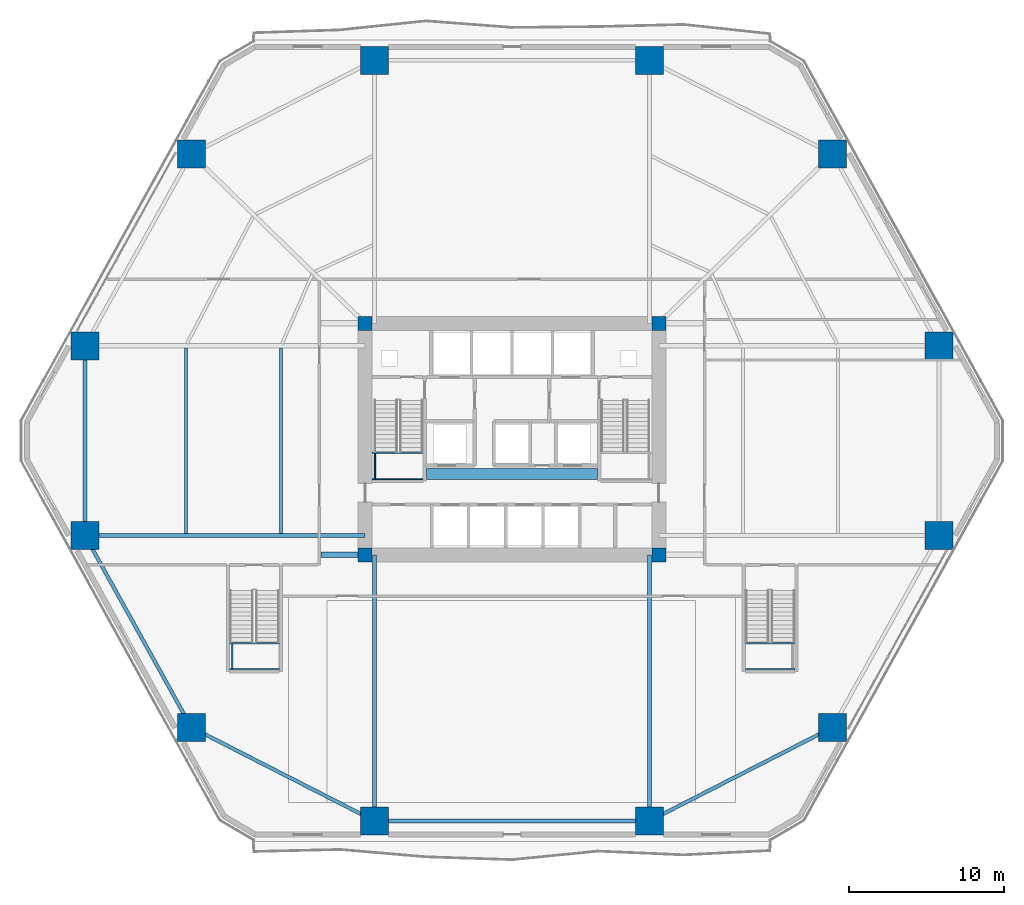
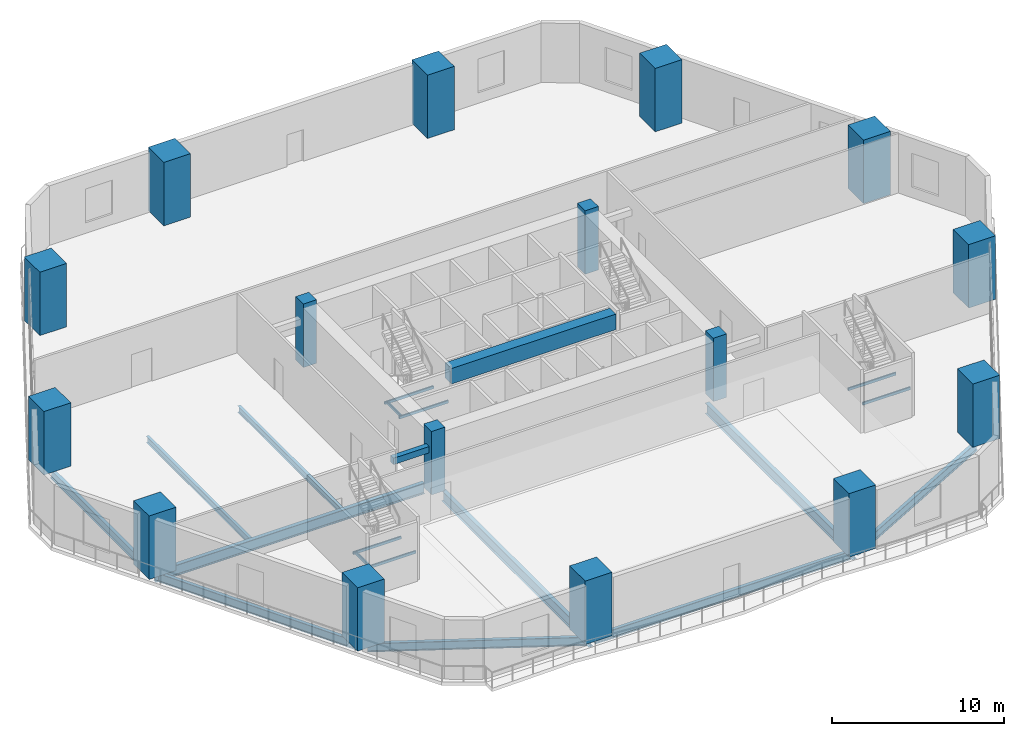
# One storey, part 1 of 18: 20 beams, 16 columns.
"""IFC4 building model written with IfcOpenShell, lengths in metres."""

from ifc_helpers import new_model, si_unit, direction, frame, origin, origin_2d, place, context, subcontext, project, spatial, rectangle, hollow_rectangle, i_section, extrude, material, material_profile, profile_set, type_object, element, save


model = new_model("IFC4")

# Units and contexts
model_context = context("Model", 3, precision=1e-05, world=origin(), true_north=direction((0.0, 1.0)))
body_context = subcontext(model_context, "Body", "Model", "MODEL_VIEW")
ifc_project = project(units=[si_unit("LENGTHUNIT", "METRE"), si_unit("AREAUNIT", "SQUARE_METRE"), si_unit("VOLUMEUNIT", "CUBIC_METRE"), si_unit("PLANEANGLEUNIT", "RADIAN"), si_unit("MASSUNIT", "GRAM", prefix="KILO")], contexts=[model_context])

# Site, building, storey
site_placement = place(None, origin())
site = spatial("IfcSite", under=ifc_project, at=site_placement, CompositionType="ELEMENT")
building_placement = place(site_placement, origin())
building = spatial("IfcBuilding", under=site, at=building_placement, Name="Cinnabar Lancet Tower", CompositionType="ELEMENT")
storey_placement = place(building_placement, frame((0.0, 0.0, 15.0)))
storey = spatial("IfcBuildingStorey", under=building, at=storey_placement, Name="L03", CompositionType="ELEMENT", Elevation=15.0)

# Columns
ifc_material_1 = material(Name="Concrete C80/95", Category="concrete")
ifc_material_profile_1 = material_profile(ifc_material_1, rectangle(XDim=0.89990234375, YDim=0.89990234375, at=origin_2d()), Name="RC-COL 900x900")
ifc_profile_set_1 = profile_set([ifc_material_profile_1], Name="Concrete C80/95")
column_type_1 = type_object("IfcColumnType", Name="STR-COL-CORE-900", PredefinedType="COLUMN", material=ifc_profile_set_1)
for number, where, z_axis, x_axis, name in (
    (1, (22.949951171875, 18.449951171875, 0.0), (0.0, 0.0, 1.0), (1.0, 0.0, 0.0), "L03 Core Corner Column SW"),
    (2, (41.85009765625, 18.449951171875, 0.0), (0.0, 0.0, 1.0), (1.0, 0.0, 0.0), "L03 Core Corner Column SE"),
    (3, (41.85009765625, 33.35009765625, 0.0), (0.0, 0.0, 1.0), (1.0, 0.0, 0.0), "L03 Core Corner Column NE"),
    (4, (22.949951171875, 33.35009765625, 0.0), (0.0, 0.0, 1.0), (1.0, 0.0, 0.0), "L03 Core Corner Column NW"),
):
    element("IfcColumn", number, at=place(storey_placement, frame(where, z_axis=z_axis, x_axis=x_axis)), inside=storey, type_object=column_type_1, Name=name, PredefinedType="COLUMN", context=body_context, shape_type="SweptSolid", body=[
        extrude(rectangle(XDim=0.89990234375, YDim=0.89990234375, at=origin_2d()), origin(), (0.0, 0.0, 1.0), 4.5),
    ])
ifc_material_2 = material(Name="Concrete C80/95", Category="concrete")
ifc_material_profile_2 = material_profile(ifc_material_2, rectangle(XDim=1.800048828125, YDim=1.800048828125, at=origin_2d()), Name="RC-MEGA 1800x1800")
ifc_profile_set_2 = profile_set([ifc_material_profile_2], Name="Concrete C80/95")
column_type_2 = type_object("IfcColumnType", Name="STR-COL-MEGA-1800", PredefinedType="COLUMN", material=ifc_profile_set_2)
for number, where, z_axis, x_axis, name in (
    (5, (23.554931640625, 1.31689453125, 0.0), (0.0, 0.0, 1.0), (1.0, 0.0, 0.0), "L03 Y-Pilotis Mega-Column 1"),
    (6, (41.2451171875, 1.31689453125, 0.0), (0.0, 0.0, 1.0), (1.0, 0.0, 0.0), "L03 Y-Pilotis Mega-Column 2"),
    (7, (53.04296875, 7.343994140625, 0.0), (0.0, 0.0, 1.0), (1.0, 0.0, 0.0), "L03 Y-Pilotis Mega-Column 3"),
    (8, (59.89111328125, 19.69189453125, 0.0), (0.0, 0.0, 1.0), (1.0, 0.0, 0.0), "L03 Y-Pilotis Mega-Column 4"),
    (9, (59.89111328125, 31.907958984375, 0.0), (0.0, 0.0, 1.0), (1.0, 0.0, 0.0), "L03 Y-Pilotis Mega-Column 5"),
    (10, (53.04296875, 44.256103515625, 0.0), (0.0, 0.0, 1.0), (1.0, 0.0, 0.0), "L03 Y-Pilotis Mega-Column 6"),
    (11, (41.2451171875, 50.282958984375, 0.0), (0.0, 0.0, 1.0), (1.0, 0.0, 0.0), "L03 Y-Pilotis Mega-Column 7"),
    (12, (23.554931640625, 50.282958984375, 0.0), (0.0, 0.0, 1.0), (1.0, 0.0, 0.0), "L03 Y-Pilotis Mega-Column 8"),
    (13, (11.757080078125, 44.256103515625, 0.0), (0.0, 0.0, 1.0), (1.0, 0.0, 0.0), "L03 Y-Pilotis Mega-Column 9"),
    (14, (4.908935546875, 31.907958984375, 0.0), (0.0, 0.0, 1.0), (1.0, 0.0, 0.0), "L03 Y-Pilotis Mega-Column 10"),
    (15, (4.908935546875, 19.69189453125, 0.0), (0.0, 0.0, 1.0), (1.0, 0.0, 0.0), "L03 Y-Pilotis Mega-Column 11"),
    (16, (11.757080078125, 7.343994140625, 0.0), (0.0, 0.0, 1.0), (1.0, 0.0, 0.0), "L03 Y-Pilotis Mega-Column 12"),
):
    element("IfcColumn", number, at=place(storey_placement, frame(where, z_axis=z_axis, x_axis=x_axis)), inside=storey, type_object=column_type_2, Name=name, PredefinedType="COLUMN", context=body_context, shape_type="SweptSolid", body=[
        extrude(rectangle(XDim=1.800048828125, YDim=1.800048828125, at=origin_2d()), origin(), (0.0, 0.0, 1.0), 4.5),
    ])

# Beams
ifc_material_3 = material(Name="Concrete C70/85", Category="concrete")
ifc_material_profile_3 = material_profile(ifc_material_3, rectangle(XDim=0.699951171875, YDim=1.10009765625, at=origin_2d()), Name="RC-CB 700x1100")
ifc_profile_set_3 = profile_set([ifc_material_profile_3], Name="Concrete C70/85")
beam_type_1 = type_object("IfcBeamType", Name="STR-BM-CB-1100", PredefinedType="BEAM", material=ifc_profile_set_3)
beam_1_placement = place(storey_placement, frame((26.8798828125, 23.64990234375, 3.669921875), z_axis=(1.0, 0.0, 0.0), x_axis=(0.0, 1.0, 0.0)))
element("IfcBeam", 17, at=beam_1_placement, inside=storey, type_object=beam_type_1, Name="L03 Core Coupling Beam", PredefinedType="BEAM", context=body_context, shape_type="SweptSolid", body=[
    extrude(rectangle(XDim=0.699951171875, YDim=1.10009765625, at=origin_2d()), origin(), (0.0, 0.0, 1.0), 11.0400390625),
])
ifc_material_4 = material(Name="Structural steel S355", Category="steel")
ifc_material_profile_4 = material_profile(ifc_material_4, i_section(OverallWidth=0.1904296875, OverallDepth=0.45703125, WebThickness=0.009033203125, FlangeThickness=0.014404296875, FilletRadius=0.01025390625, at=origin_2d()), Name="UKB 457x191x74")
ifc_profile_set_4 = profile_set([ifc_material_profile_4], Name="Structural steel S355")
beam_type_2 = type_object("IfcBeamType", Name="STR-BM-JST-457", PredefinedType="JOIST", material=ifc_profile_set_4)
for number, where, z_axis, x_axis, name in (
    (18, (11.404052734375, 31.77490234375, -0.47900390625), (0.0, -1.0, 0.0), (1.0, 0.0, 0.0), "L03 Secondary Floor Joist 11"),
    (19, (17.5380859375, 31.77490234375, -0.47900390625), (0.0, -1.0, 0.0), (1.0, 0.0, 0.0), "L03 Secondary Floor Joist 12"),
):
    element("IfcBeam", number, at=place(storey_placement, frame(where, z_axis=z_axis, x_axis=x_axis)), inside=storey, type_object=beam_type_2, Name=name, PredefinedType="JOIST", context=body_context, shape_type="SweptSolid", body=[
        extrude(i_section(OverallWidth=0.1904296875, OverallDepth=0.45703125, WebThickness=0.009033203125, FlangeThickness=0.014404296875, FilletRadius=0.01025390625, at=origin_2d()), origin(), (0.0, 0.0, 1.0), 11.949951171875),
    ])
ifc_material_5 = material(Name="Structural steel S355", Category="steel")
ifc_material_profile_5 = material_profile(ifc_material_5, hollow_rectangle(XDim=0.10009765625, YDim=0.199951171875, WallThickness=0.008056640625, InnerFilletRadius=0.00390625, OuterFilletRadius=0.011962890625, at=origin_2d()), Name="RHS 200x100x8")
ifc_profile_set_5 = profile_set([ifc_material_profile_5], Name="Structural steel S355")
beam_type_3 = type_object("IfcBeamType", Name="STR-BM-LND-203", PredefinedType="BEAM", material=ifc_profile_set_5)
for number, where, z_axis, x_axis, name in (
    (20, (23.39990234375, 23.330078125, 1.949951171875), (1.0, 0.0, 0.0), (0.0, 1.0, 0.0), "L03 ST-1-L03 Landing Support Beam S"),
    (21, (23.39990234375, 25.02001953125, 1.949951171875), (1.0, 0.0, 0.0), (0.0, 1.0, 0.0), "L03 ST-1-L03 Landing Support Beam N"),
):
    element("IfcBeam", number, at=place(storey_placement, frame(where, z_axis=z_axis, x_axis=x_axis)), inside=storey, type_object=beam_type_3, Name=name, PredefinedType="BEAM", context=body_context, shape_type="SweptSolid", body=[
        extrude(hollow_rectangle(XDim=0.10009765625, YDim=0.199951171875, WallThickness=0.008056640625, InnerFilletRadius=0.00390625, OuterFilletRadius=0.011962890625, at=origin_2d()), origin(), (0.0, 0.0, 1.0), 3.280029296875),
    ])
beam_2_placement = place(storey_placement, frame((23.580078125, 23.3798828125, 1.949951171875), z_axis=(0.0, 1.0, 0.0), x_axis=(-1.0, 0.0, 0.0)))
element("IfcBeam", 22, at=beam_2_placement, inside=storey, type_object=beam_type_3, Name="L03 ST-1-L03 Landing Side Trimmer Beam", PredefinedType="BEAM", context=body_context, shape_type="SweptSolid", body=[
    extrude(hollow_rectangle(XDim=0.10009765625, YDim=0.199951171875, WallThickness=0.008056640625, InnerFilletRadius=0.00390625, OuterFilletRadius=0.011962890625, at=origin_2d()), origin(), (0.0, 0.0, 1.0), 1.590087890625),
])
for number, where, z_axis, x_axis, name in (
    (23, (14.219970703125, 11.080078125, 1.949951171875), (1.0, 0.0, 0.0), (0.0, 1.0, 0.0), "L03 ST-3-L03 Landing Support Beam S"),
    (24, (14.219970703125, 12.77001953125, 1.949951171875), (1.0, 0.0, 0.0), (0.0, 1.0, 0.0), "L03 ST-3-L03 Landing Support Beam N"),
):
    element("IfcBeam", number, at=place(storey_placement, frame(where, z_axis=z_axis, x_axis=x_axis)), inside=storey, type_object=beam_type_3, Name=name, PredefinedType="BEAM", context=body_context, shape_type="SweptSolid", body=[
        extrude(hollow_rectangle(XDim=0.10009765625, YDim=0.199951171875, WallThickness=0.008056640625, InnerFilletRadius=0.00390625, OuterFilletRadius=0.011962890625, at=origin_2d()), origin(), (0.0, 0.0, 1.0), 3.199951171875),
    ])
beam_3_placement = place(storey_placement, frame((14.3798828125, 11.1298828125, 1.949951171875), z_axis=(0.0, 1.0, 0.0), x_axis=(-1.0, 0.0, 0.0)))
element("IfcBeam", 25, at=beam_3_placement, inside=storey, type_object=beam_type_3, Name="L03 ST-3-L03 Landing Side Trimmer Beam", PredefinedType="BEAM", context=body_context, shape_type="SweptSolid", body=[
    extrude(hollow_rectangle(XDim=0.10009765625, YDim=0.199951171875, WallThickness=0.008056640625, InnerFilletRadius=0.00390625, OuterFilletRadius=0.011962890625, at=origin_2d()), origin(), (0.0, 0.0, 1.0), 1.590087890625),
])
for number, where, z_axis, x_axis, name in (
    (26, (47.419921875, 11.080078125, 1.949951171875), (1.0, 0.0, 0.0), (0.0, 1.0, 0.0), "L03 ST-4-L03 Landing Support Beam S"),
    (27, (47.419921875, 12.77001953125, 1.949951171875), (1.0, 0.0, 0.0), (0.0, 1.0, 0.0), "L03 ST-4-L03 Landing Support Beam N"),
):
    element("IfcBeam", number, at=place(storey_placement, frame(where, z_axis=z_axis, x_axis=x_axis)), inside=storey, type_object=beam_type_3, Name=name, PredefinedType="BEAM", context=body_context, shape_type="SweptSolid", body=[
        extrude(hollow_rectangle(XDim=0.10009765625, YDim=0.199951171875, WallThickness=0.008056640625, InnerFilletRadius=0.00390625, OuterFilletRadius=0.011962890625, at=origin_2d()), origin(), (0.0, 0.0, 1.0), 3.2001953125),
    ])
ifc_material_6 = material(Name="Concrete C45/55", Category="concrete")
ifc_material_profile_6 = material_profile(ifc_material_6, rectangle(XDim=0.35009765625, YDim=0.449951171875, at=origin_2d()), Name="RC-LNT 350x450")
ifc_profile_set_6 = profile_set([ifc_material_profile_6], Name="Concrete C45/55")
beam_type_4 = type_object("IfcBeamType", Name="STR-BM-LNT-450", PredefinedType="LINTEL", material=ifc_profile_set_6)
beam_4_placement = place(storey_placement, frame((20.10009765625, 18.449951171875, 3.050048828125), z_axis=(1.0, 0.0, 0.0), x_axis=(0.0, 1.0, 0.0)))
element("IfcBeam", 28, at=beam_4_placement, inside=storey, type_object=beam_type_4, Name="L03 Podium Gallery Arch Lintel SW", PredefinedType="LINTEL", context=body_context, shape_type="SweptSolid", body=[
    extrude(rectangle(XDim=0.35009765625, YDim=0.449951171875, at=origin_2d()), origin(), (0.0, 0.0, 1.0), 2.39990234375),
])
ifc_material_7 = material(Name="Structural steel S355", Category="steel")
ifc_material_profile_7 = material_profile(ifc_material_7, i_section(OverallWidth=0.228271484375, OverallDepth=0.607666015625, WebThickness=0.010986328125, FlangeThickness=0.017333984375, FilletRadius=0.0126953125, at=origin_2d()), Name="UKB 610x229x113")
ifc_profile_set_7 = profile_set([ifc_material_profile_7], Name="Structural steel S355")
beam_type_5 = type_object("IfcBeamType", Name="STR-BM-SPN-610", PredefinedType="SPANDREL", material=ifc_profile_set_7)
beam_5_placement = place(storey_placement, frame((23.804931640625, 1.31689453125, -0.553955078125), z_axis=(1.0, 0.0, 0.0), x_axis=(0.0, 1.0, 0.0)))
element("IfcBeam", 29, at=beam_5_placement, inside=storey, type_object=beam_type_5, Name="L03 Perimeter Spandrel 1", PredefinedType="SPANDREL", context=body_context, shape_type="SweptSolid", body=[
    extrude(i_section(OverallWidth=0.228271484375, OverallDepth=0.607666015625, WebThickness=0.010986328125, FlangeThickness=0.017333984375, FilletRadius=0.0126953125, at=origin_2d()), origin(), (0.0, 0.0, 1.0), 17.190185546875),
])
beam_6_placement = place(storey_placement, frame((41.468017578125, 1.430908203125, -0.553955078125), z_axis=(0.890532798964, 0.454919041116, 0.0), x_axis=(-0.454919041116, 0.890532798964, 0.0)))
element("IfcBeam", 30, at=beam_6_placement, inside=storey, type_object=beam_type_5, Name="L03 Perimeter Spandrel 2", PredefinedType="SPANDREL", context=body_context, shape_type="SweptSolid", body=[
    extrude(i_section(OverallWidth=0.228271484375, OverallDepth=0.607666015625, WebThickness=0.010986328125, FlangeThickness=0.017333984375, FilletRadius=0.0126953125, at=origin_2d()), origin(), (0.0, 0.0, 1.0), 12.74755859375),
])
beam_7_placement = place(storey_placement, frame((4.908935546875, 31.657958984375, -0.553955078125), z_axis=(0.0, -1.0, 0.0), x_axis=(1.0, 0.0, 0.0)))
element("IfcBeam", 31, at=beam_7_placement, inside=storey, type_object=beam_type_5, Name="L03 Perimeter Spandrel 10", PredefinedType="SPANDREL", context=body_context, shape_type="SweptSolid", body=[
    extrude(i_section(OverallWidth=0.228271484375, OverallDepth=0.607666015625, WebThickness=0.010986328125, FlangeThickness=0.017333984375, FilletRadius=0.0126953125, at=origin_2d()), origin(), (0.0, 0.0, 1.0), 11.716064453125),
])
beam_8_placement = place(storey_placement, frame((5.030029296875, 19.472900390625, -0.553955078125), z_axis=(0.485044660428, -0.874489380947, 0.0), x_axis=(0.874489380947, 0.485044660428, 0.0)))
element("IfcBeam", 32, at=beam_8_placement, inside=storey, type_object=beam_type_5, Name="L03 Perimeter Spandrel 11", PredefinedType="SPANDREL", context=body_context, shape_type="SweptSolid", body=[
    extrude(i_section(OverallWidth=0.228271484375, OverallDepth=0.607666015625, WebThickness=0.010986328125, FlangeThickness=0.017333984375, FilletRadius=0.0126953125, at=origin_2d()), origin(), (0.0, 0.0, 1.0), 13.619384765625),
])
beam_9_placement = place(storey_placement, frame((11.97998046875, 7.22998046875, -0.553955078125), z_axis=(0.890532798964, -0.454919041116, 0.0), x_axis=(0.454919041116, 0.890532798964, 0.0)))
element("IfcBeam", 33, at=beam_9_placement, inside=storey, type_object=beam_type_5, Name="L03 Perimeter Spandrel 12", PredefinedType="SPANDREL", context=body_context, shape_type="SweptSolid", body=[
    extrude(i_section(OverallWidth=0.228271484375, OverallDepth=0.607666015625, WebThickness=0.010986328125, FlangeThickness=0.017333984375, FilletRadius=0.0126953125, at=origin_2d()), origin(), (0.0, 0.0, 1.0), 12.74755859375),
])
ifc_material_8 = material(Name="Structural steel S355", Category="steel")
ifc_material_profile_8 = material_profile(ifc_material_8, i_section(OverallWidth=0.2666015625, OverallDepth=0.76220703125, WebThickness=0.014404296875, FlangeThickness=0.021484375, FilletRadius=0.0166015625, at=origin_2d()), Name="UKB 762x267x173")
ifc_profile_set_8 = profile_set([ifc_material_profile_8], Name="Structural steel S355")
beam_type_6 = type_object("IfcBeamType", Name="STR-BM-UKB762-173", PredefinedType="BEAM", material=ifc_profile_set_8)
for number, where, z_axis, x_axis, name in (
    (34, (23.554931640625, 1.31689453125, -0.631103515625), (0.0, 1.0, 0.0), (-1.0, 0.0, 0.0), "L03 Primary Floor Girder 1"),
    (35, (41.2451171875, 1.31689453125, -0.631103515625), (0.0, 1.0, 0.0), (-1.0, 0.0, 0.0), "L03 Primary Floor Girder 2"),
):
    element("IfcBeam", number, at=place(storey_placement, frame(where, z_axis=z_axis, x_axis=x_axis)), inside=storey, type_object=beam_type_6, Name=name, PredefinedType="BEAM", context=body_context, shape_type="SweptSolid", body=[
        extrude(i_section(OverallWidth=0.2666015625, OverallDepth=0.76220703125, WebThickness=0.014404296875, FlangeThickness=0.021484375, FilletRadius=0.0166015625, at=origin_2d()), origin(), (0.0, 0.0, 1.0), 17.133056640625),
    ])
beam_10_placement = place(storey_placement, frame((4.908935546875, 19.69189453125, -0.631103515625), z_axis=(1.0, 0.0, 0.0), x_axis=(0.0, 1.0, 0.0)))
element("IfcBeam", 36, at=beam_10_placement, inside=storey, type_object=beam_type_6, Name="L03 Primary Floor Girder 11", PredefinedType="BEAM", context=body_context, shape_type="SweptSolid", body=[
    extrude(i_section(OverallWidth=0.2666015625, OverallDepth=0.76220703125, WebThickness=0.014404296875, FlangeThickness=0.021484375, FilletRadius=0.0166015625, at=origin_2d()), origin(), (0.0, 0.0, 1.0), 18.041015625),
])

save(model, "model.ifc")
